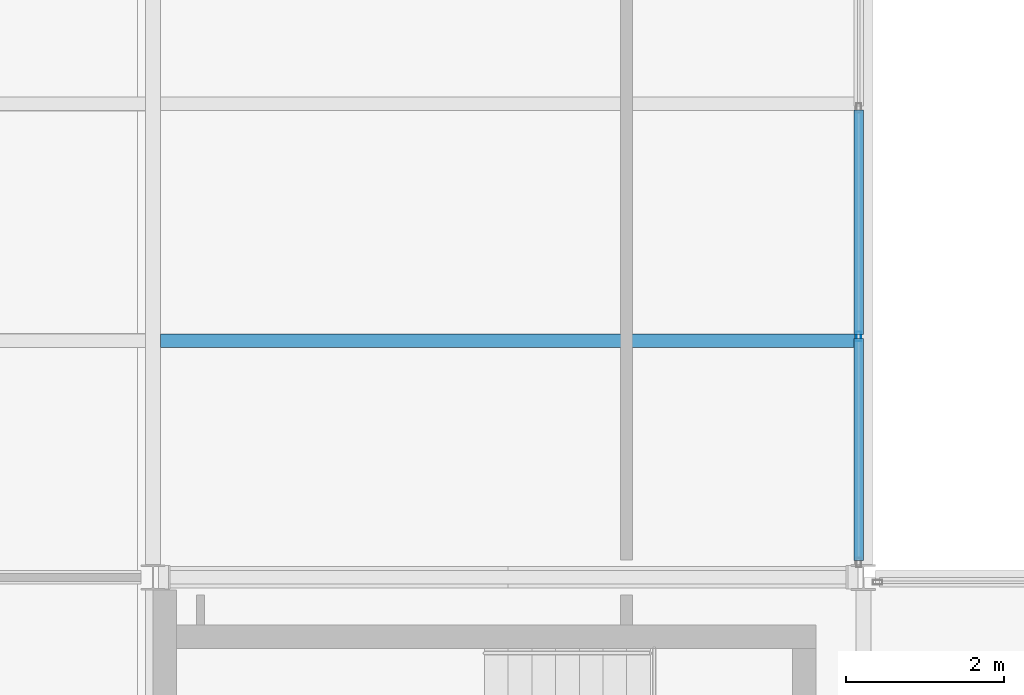
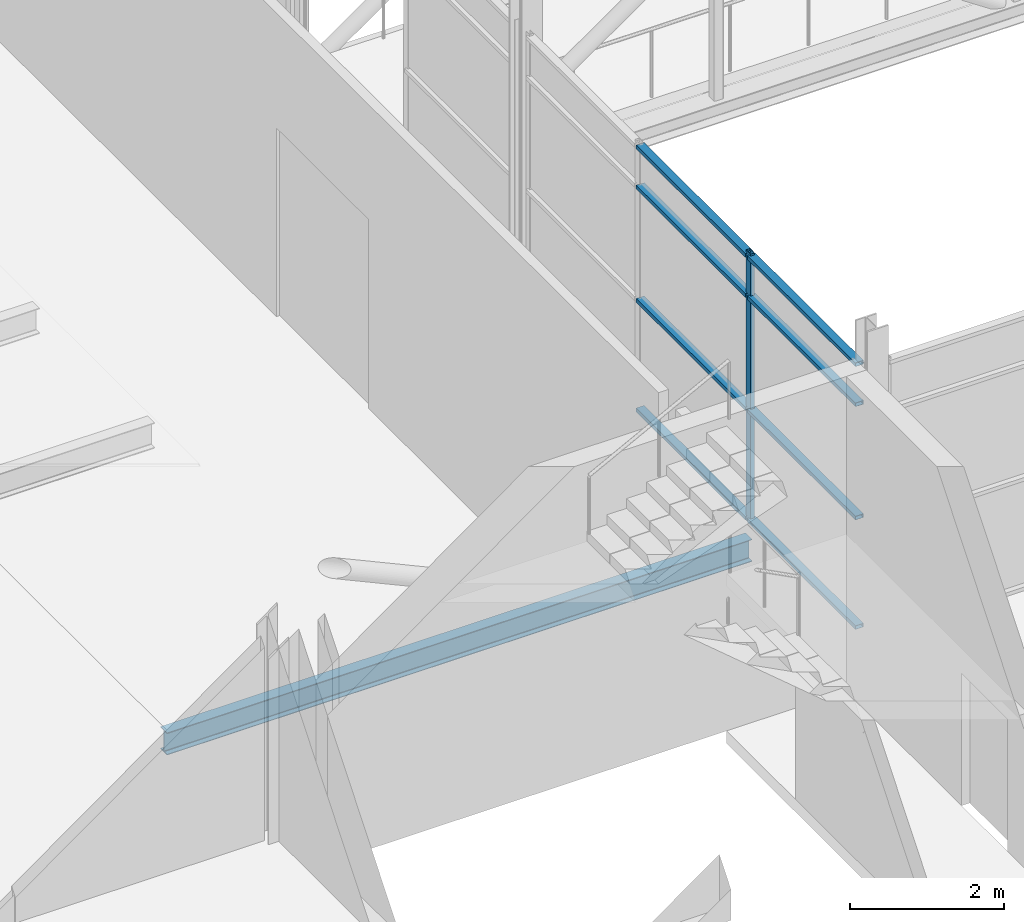
# One storey, part 42 of 115: 9 members, 1 beam, 1 element without a shape of its own.
"""IFC4 building model written with IfcOpenShell, lengths in metres."""

import ifcopenshell
import ifcopenshell.guid

model = None  # the IFC model being written
_history = None  # IfcOwnerHistory: only IFC2X3 demands one
_inside = {}  # id of a spatial element -> (the spatial element, [elements in it])
_under = {}  # id of a project, library or spatial element -> (it, [spatial elements below it])
_declared = {}  # id of a project -> (the project, [libraries it declares])
_typed = {}  # id of a type object -> (the type object, [elements of that type])
_made_of = {}  # id of a material, layer set ... -> (it, [elements and type objects made of it])


def new_model(schema):
    """Start an empty IFC model of exactly this schema.

    Asked for "IFC4X3", IfcOpenShell would pick the latest addendum, in which some entities
    have other attributes; the version numbers below select the first issue.
    IFC2X3 requires an IfcOwnerHistory on every rooted entity: one is made here for all.
    """
    global model, _history
    if schema == "IFC4X3":
        model = ifcopenshell.file(schema_version=(4, 3, 0, 0))
    else:
        model = ifcopenshell.file(schema=schema)
    _inside.clear()
    _under.clear()
    _declared.clear()
    _typed.clear()
    _made_of.clear()
    _history = None
    if model.schema == "IFC2X3":
        org = make("IfcOrganization", Name="unknown")
        user = make(
            "IfcPersonAndOrganization",
            ThePerson=make("IfcPerson", FamilyName="unknown"),
            TheOrganization=org,
        )
        app = make(
            "IfcApplication",
            ApplicationDeveloper=org,
            Version="unknown",
            ApplicationFullName="unknown",
            ApplicationIdentifier="unknown",
        )
        _history = make(
            "IfcOwnerHistory",
            OwningUser=user,
            OwningApplication=app,
            ChangeAction="ADDED",
            CreationDate=0,
        )
    return model


def make(cls, **values):
    """One entity of the class cls with the attributes given. An attribute that is None is left unset."""
    return model.create_entity(
        cls, **{name: value for name, value in values.items() if value is not None}
    )


def rooted(cls, **values):
    """An entity with a GlobalId (a new one), such as an element, a storey or a relation."""
    return make(cls, GlobalId=ifcopenshell.guid.new(), OwnerHistory=_history, **values)


def si_unit(unit_type, name, prefix=None):
    """IfcSIUnit, for example si_unit("LENGTHUNIT", "METRE", prefix="MILLI")."""
    return make("IfcSIUnit", UnitType=unit_type, Prefix=prefix, Name=name)


def assignment(units):
    """IfcUnitAssignment: the units of a project."""
    return None if units is None else make("IfcUnitAssignment", Units=units)


def point(xyz):
    """IfcCartesianPoint."""
    return None if xyz is None else make("IfcCartesianPoint", Coordinates=xyz)


def direction(xyz):
    """IfcDirection."""
    return None if xyz is None else make("IfcDirection", DirectionRatios=xyz)


def frame(location, z_axis=None, x_axis=None):
    """IfcAxis2Placement3D, a coordinate frame: its origin and axes. An axis left out is left unset."""
    return make(
        "IfcAxis2Placement3D",
        Location=point(location),
        Axis=direction(z_axis),
        RefDirection=direction(x_axis),
    )


def frame_2d(location, x_axis=None):
    """IfcAxis2Placement2D, a coordinate frame in the plane: its origin and x axis."""
    return make(
        "IfcAxis2Placement2D", Location=point(location), RefDirection=direction(x_axis)
    )


def origin():
    """The frame at (0, 0, 0) with its axes left unset."""
    return frame((0.0, 0.0, 0.0))


def origin_2d():
    """The frame at (0, 0) in the plane with its x axis left unset."""
    return frame_2d((0.0, 0.0))


def place(relative_to, where):
    """IfcLocalPlacement: puts the frame where relative to a parent placement (None: the world)."""
    return make(
        "IfcLocalPlacement", PlacementRelTo=relative_to, RelativePlacement=where
    )


def context(
    kind, dimensions, precision=None, world=None, true_north=None, identifier=None
):
    """IfcGeometricRepresentationContext, for example the 3D "Model" context."""
    return make(
        "IfcGeometricRepresentationContext",
        ContextIdentifier=identifier,
        ContextType=kind,
        CoordinateSpaceDimension=dimensions,
        Precision=precision,
        WorldCoordinateSystem=world,
        TrueNorth=true_north,
    )


def subcontext(parent, identifier, kind, view, scale=None):
    """IfcGeometricRepresentationSubContext, for example "Body" below "Model"."""
    return make(
        "IfcGeometricRepresentationSubContext",
        ContextIdentifier=identifier,
        ContextType=kind,
        ParentContext=parent,
        TargetScale=scale,
        TargetView=view,
    )


def project(units=None, contexts=None):
    """IfcProject with its units and contexts."""
    return rooted(
        "IfcProject",
        Name="project",
        RepresentationContexts=contexts,
        UnitsInContext=assignment(units),
    )


def spatial(cls, under=None, at=None, **own):
    """A site, building, storey or space (cls), placed at a placement, below another one or the project."""
    s = rooted(cls, ObjectPlacement=at, **own)
    if under is not None:
        _under.setdefault(under.id(), (under, []))[1].append(s)
    return s


def profile(cls, at=None, kind="AREA", **sizes):
    """A parametric profile (cls). Its sizes go by their IFC names, for example OverallWidth=200.0."""
    return make(cls, ProfileType=kind, Position=at, **sizes)


def hollow_rectangle(**sizes):
    """IfcRectangleHollowProfileDef."""
    return profile("IfcRectangleHollowProfileDef", **sizes)


def i_section(**sizes):
    """IfcIShapeProfileDef."""
    return profile("IfcIShapeProfileDef", **sizes)


def extrude(swept, where, along, depth):
    """IfcExtrudedAreaSolid: the profile swept, set in the frame where, extruded along a direction by depth."""
    return make(
        "IfcExtrudedAreaSolid",
        SweptArea=swept,
        Position=where,
        ExtrudedDirection=direction(along),
        Depth=depth,
    )


def shape(context_of_items, identifier, shape_type, items):
    """IfcShapeRepresentation: the items that make up one representation, for example the "Body"."""
    return make(
        "IfcShapeRepresentation",
        ContextOfItems=context_of_items,
        RepresentationIdentifier=identifier,
        RepresentationType=shape_type,
        Items=items,
    )


def material(Name=None, Category=None):
    """IfcMaterial."""
    return make("IfcMaterial", Name=Name, Category=Category)


def layer(
    of_material, thickness, ventilated=None, Name=None, Category=None, Priority=None
):
    """IfcMaterialLayer: one layer of a wall or slab, of a material (None: an air gap)."""
    return make(
        "IfcMaterialLayer",
        Material=of_material,
        LayerThickness=thickness,
        IsVentilated=ventilated,
        Name=Name,
        Category=Category,
        Priority=Priority,
    )


def layer_set(layers, Name=None):
    """IfcMaterialLayerSet."""
    return make("IfcMaterialLayerSet", MaterialLayers=layers, LayerSetName=Name)


def material_profile(
    of_material, cross_section, Name=None, Category=None, Priority=None
):
    """IfcMaterialProfile: a cross section and its material."""
    return make(
        "IfcMaterialProfile",
        Name=Name,
        Material=of_material,
        Profile=cross_section,
        Priority=Priority,
        Category=Category,
    )


def profile_set(profiles, Name=None, composite=None):
    """IfcMaterialProfileSet."""
    return make(
        "IfcMaterialProfileSet",
        Name=Name,
        MaterialProfiles=profiles,
        CompositeProfile=composite,
    )


def made_of(thing, what):
    """Note that an element or type object is made of a material, layer set ...; save() writes the relation."""
    if what is not None:
        _made_of.setdefault(what.id(), (what, []))[1].append(thing)
    return thing


def type_object(cls, material=None, **own):
    """A type object (cls), such as IfcWallType, which elements share."""
    return made_of(rooted(cls, **own), material)


def element(
    cls,
    number,
    at=None,
    inside=None,
    cuts=None,
    type_object=None,
    material=None,
    context=None,
    identifier="Body",
    shape_type=None,
    held_by="IfcProductDefinitionShape",
    body=None,
    shapes=None,
    **own,
):
    """One element of the class cls, such as IfcWall. Its Tag is "e" and its number.

    at: its placement. inside: the storey or other place that contains it. cuts: it is an
    opening in that element (IfcRelVoidsElement). A single representation is given by context,
    identifier, shape_type and body (its items); several are given by shapes. held_by: the class
    of the entity that holds the representations. save() writes the other relations.
    """
    e = rooted(cls, Tag="e%d" % number, ObjectPlacement=at, **own)
    if body is not None:
        shapes = [shape(context, identifier, shape_type, body)]
    if shapes is not None:
        e.Representation = make(held_by, Representations=shapes)
    if inside is not None:
        _inside.setdefault(inside.id(), (inside, []))[1].append(e)
    if cuts is not None:
        rooted(
            "IfcRelVoidsElement", RelatingBuildingElement=cuts, RelatedOpeningElement=e
        )
    if type_object is not None:
        _typed.setdefault(type_object.id(), (type_object, []))[1].append(e)
    return made_of(e, material)


def aggregate(whole, parts):
    """IfcRelAggregates: a whole, such as a stair, and the parts it consists of."""
    return rooted("IfcRelAggregates", RelatingObject=whole, RelatedObjects=parts)


def save(model, path):
    """Write the relations noted so far, then the file.

    IfcRelAggregates (storeys below a building ...), IfcRelContainedInSpatialStructure (elements
    in a storey), IfcRelDefinesByType, IfcRelAssociatesMaterial and IfcRelDeclares: one each for
    every whole, place, type object, material and project.
    """
    for whole, parts in _under.values():
        aggregate(whole, parts)
    for where, things in _inside.values():
        rooted(
            "IfcRelContainedInSpatialStructure",
            RelatedElements=things,
            RelatingStructure=where,
        )
    for kind, things in _typed.values():
        rooted("IfcRelDefinesByType", RelatedObjects=things, RelatingType=kind)
    for what, things in _made_of.values():
        rooted("IfcRelAssociatesMaterial", RelatedObjects=things, RelatingMaterial=what)
    for by, libraries in _declared.values():
        rooted("IfcRelDeclares", RelatingContext=by, RelatedDefinitions=libraries)
    model.write(path)


model = new_model("IFC4")

# Units and contexts
model_context = context("Model", 3, precision=1e-05, world=origin(), true_north=direction((0.0, 1.0)))
body_context = subcontext(model_context, "Body", "Model", "MODEL_VIEW")
ifc_project = project(units=[si_unit("LENGTHUNIT", "METRE"), si_unit("AREAUNIT", "SQUARE_METRE"), si_unit("VOLUMEUNIT", "CUBIC_METRE"), si_unit("PLANEANGLEUNIT", "RADIAN"), si_unit("MASSUNIT", "GRAM", prefix="KILO")], contexts=[model_context])

# Site, building, storey
site_placement = place(None, origin())
site = spatial("IfcSite", under=ifc_project, at=site_placement, CompositionType="ELEMENT")
building_placement = place(site_placement, origin())
building = spatial("IfcBuilding", under=site, at=building_placement, Name="Shorebreak Coast Museum", CompositionType="ELEMENT")
storey_placement = place(building_placement, frame((0.0, 0.0, 11.0)))
storey = spatial("IfcBuildingStorey", under=building, at=storey_placement, Name="L02", CompositionType="ELEMENT", Elevation=11.0)

# Beam
ifc_material_1 = material(Name="Steel Grade 300", Category="steel")
ifc_material_profile_1 = material_profile(ifc_material_1, i_section(OverallWidth=0.1708984375, OverallDepth=0.35205078125, WebThickness=0.0068359375, FlangeThickness=0.009765625, FilletRadius=0.011474609375, at=origin_2d()), Name="360UB44.7")
ifc_profile_set_1 = profile_set([ifc_material_profile_1], Name="Steel Grade 300")
beam_type = type_object("IfcBeamType", Name="Floor joist 360UB44.7", PredefinedType="JOIST", material=ifc_profile_set_1)
beam_placement = place(storey_placement, frame((54.095458984375, 66.0, -0.35107421875), z_axis=(1.0, 0.0, 0.0), x_axis=(0.0, 1.0, 0.0)))
element("IfcBeam", 1, at=beam_placement, inside=storey, type_object=beam_type, Name="Floor joist L02 bay 7H at 3000 mm", PredefinedType="JOIST", context=body_context, shape_type="SweptSolid", body=[
    extrude(i_section(OverallWidth=0.1708984375, OverallDepth=0.35205078125, WebThickness=0.0068359375, FlangeThickness=0.009765625, FilletRadius=0.011474609375, at=origin_2d()), origin(), (0.0, 0.0, 1.0), 8.79052734375),
])

# Curtain wall, members
ifc_material_2 = material(Name="Aluminium", Category="aluminium")
ifc_layer = layer(ifc_material_2, 0.1201171875)
ifc_layer_set = layer_set([ifc_layer], Name="Aluminium")
curtain_wall_type = type_object("IfcCurtainWallType", Name="Atrium fire screen", PredefinedType="NOTDEFINED", material=ifc_layer_set)
curtain_wall_placement = place(storey_placement, origin())
curtain_wall = element("IfcCurtainWall", 2, at=curtain_wall_placement, inside=storey, type_object=curtain_wall_type, Name="Atrium screen L02 W 27", PredefinedType="NOTDEFINED")
ifc_material_3 = material(Name="Aluminium", Category="aluminium")
ifc_material_profile_2 = material_profile(ifc_material_3, hollow_rectangle(XDim=0.06005859375, YDim=0.1201171875, WallThickness=0.00341796875, at=origin_2d()), Name="AL 120x60 RHS")
ifc_profile_set_2 = profile_set([ifc_material_profile_2], Name="Aluminium")
member_type_1 = type_object("IfcMemberType", Name="Screen mullion 50 x 120", PredefinedType="MULLION", material=ifc_profile_set_2)
member_1_placement = place(storey_placement, frame((62.93994140625, 66.054443359375, 0.0), z_axis=(0.0, 0.0, 1.0), x_axis=(-1.0, 0.0, 0.0)))
member_1 = element("IfcMember", 3, at=member_1_placement, type_object=member_type_1, Name="CW4 mullion 2", PredefinedType="MULLION", context=body_context, shape_type="SweptSolid", body=[
    extrude(hollow_rectangle(XDim=0.06005859375, YDim=0.1201171875, WallThickness=0.00341796875, at=origin_2d()), origin(), (0.0, 0.0, 1.0), 4.296875),
])
ifc_material_4 = material(Name="Aluminium", Category="aluminium")
ifc_material_profile_3 = material_profile(ifc_material_4, hollow_rectangle(XDim=0.1201171875, YDim=0.06005859375, WallThickness=0.00341796875, at=origin_2d()), Name="AL 60x120 RHS")
ifc_profile_set_3 = profile_set([ifc_material_profile_3], Name="Aluminium")
member_type_2 = type_object("IfcMemberType", Name="Screen transom 120 x 50", PredefinedType="USERDEFINED", material=ifc_profile_set_3)
member_2_placement = place(storey_placement, frame((62.93994140625, 63.213623046875, 0.06005859375), z_axis=(0.0, 1.0, 0.0), x_axis=(-1.0, 0.0, 0.0)))
member_2 = element("IfcMember", 4, at=member_2_placement, type_object=member_type_2, Name="CW4 transom 1.1", ObjectType="TRANSOM", PredefinedType="USERDEFINED", context=body_context, shape_type="SweptSolid", body=[
    extrude(hollow_rectangle(XDim=0.1201171875, YDim=0.06005859375, WallThickness=0.00341796875, at=origin_2d()), origin(), (0.0, 0.0, 1.0), 2.81591796875),
])
member_3_placement = place(storey_placement, frame((62.93994140625, 63.213623046875, 1.800048828125), z_axis=(0.0, 1.0, 0.0), x_axis=(-1.0, 0.0, 0.0)))
member_3 = element("IfcMember", 5, at=member_3_placement, type_object=member_type_2, Name="CW4 transom 1.2", ObjectType="TRANSOM", PredefinedType="USERDEFINED", context=body_context, shape_type="SweptSolid", body=[
    extrude(hollow_rectangle(XDim=0.1201171875, YDim=0.06005859375, WallThickness=0.00341796875, at=origin_2d()), origin(), (0.0, 0.0, 1.0), 2.81591796875),
])
member_4_placement = place(storey_placement, frame((62.93994140625, 63.213623046875, 3.60009765625), z_axis=(0.0, 1.0, 0.0), x_axis=(-1.0, 0.0, 0.0)))
member_4 = element("IfcMember", 6, at=member_4_placement, type_object=member_type_2, Name="CW4 transom 1.3", ObjectType="TRANSOM", PredefinedType="USERDEFINED", context=body_context, shape_type="SweptSolid", body=[
    extrude(hollow_rectangle(XDim=0.1201171875, YDim=0.06005859375, WallThickness=0.00341796875, at=origin_2d()), origin(), (0.0, 0.0, 1.0), 2.81591796875),
])
member_5_placement = place(storey_placement, frame((62.93994140625, 63.213623046875, 4.23681640625), z_axis=(0.0, 1.0, 0.0), x_axis=(-1.0, 0.0, 0.0)))
member_5 = element("IfcMember", 7, at=member_5_placement, type_object=member_type_2, Name="CW4 transom 1.4", ObjectType="TRANSOM", PredefinedType="USERDEFINED", context=body_context, shape_type="SweptSolid", body=[
    extrude(hollow_rectangle(XDim=0.1201171875, YDim=0.06005859375, WallThickness=0.00341796875, at=origin_2d()), origin(), (0.0, 0.0, 1.0), 2.81591796875),
])
member_6_placement = place(storey_placement, frame((62.93994140625, 66.07958984375, 0.06005859375), z_axis=(0.0, 1.0, 0.0), x_axis=(-1.0, 0.0, 0.0)))
member_6 = element("IfcMember", 8, at=member_6_placement, type_object=member_type_2, Name="CW4 transom 2.1", ObjectType="TRANSOM", PredefinedType="USERDEFINED", context=body_context, shape_type="SweptSolid", body=[
    extrude(hollow_rectangle(XDim=0.1201171875, YDim=0.06005859375, WallThickness=0.00341796875, at=origin_2d()), origin(), (0.0, 0.0, 1.0), 2.8408203125),
])
member_7_placement = place(storey_placement, frame((62.93994140625, 66.07958984375, 1.800048828125), z_axis=(0.0, 1.0, 0.0), x_axis=(-1.0, 0.0, 0.0)))
member_7 = element("IfcMember", 9, at=member_7_placement, type_object=member_type_2, Name="CW4 transom 2.2", ObjectType="TRANSOM", PredefinedType="USERDEFINED", context=body_context, shape_type="SweptSolid", body=[
    extrude(hollow_rectangle(XDim=0.1201171875, YDim=0.06005859375, WallThickness=0.00341796875, at=origin_2d()), origin(), (0.0, 0.0, 1.0), 2.8408203125),
])
member_8_placement = place(storey_placement, frame((62.93994140625, 66.07958984375, 3.60009765625), z_axis=(0.0, 1.0, 0.0), x_axis=(-1.0, 0.0, 0.0)))
member_8 = element("IfcMember", 10, at=member_8_placement, type_object=member_type_2, Name="CW4 transom 2.3", ObjectType="TRANSOM", PredefinedType="USERDEFINED", context=body_context, shape_type="SweptSolid", body=[
    extrude(hollow_rectangle(XDim=0.1201171875, YDim=0.06005859375, WallThickness=0.00341796875, at=origin_2d()), origin(), (0.0, 0.0, 1.0), 2.8408203125),
])
member_9_placement = place(storey_placement, frame((62.93994140625, 66.07958984375, 4.23681640625), z_axis=(0.0, 1.0, 0.0), x_axis=(-1.0, 0.0, 0.0)))
member_9 = element("IfcMember", 11, at=member_9_placement, type_object=member_type_2, Name="CW4 transom 2.4", ObjectType="TRANSOM", PredefinedType="USERDEFINED", context=body_context, shape_type="SweptSolid", body=[
    extrude(hollow_rectangle(XDim=0.1201171875, YDim=0.06005859375, WallThickness=0.00341796875, at=origin_2d()), origin(), (0.0, 0.0, 1.0), 2.8408203125),
])
aggregate(curtain_wall, [member_1, member_2, member_3, member_4, member_5, member_6, member_7, member_8, member_9])

save(model, "model.ifc")
